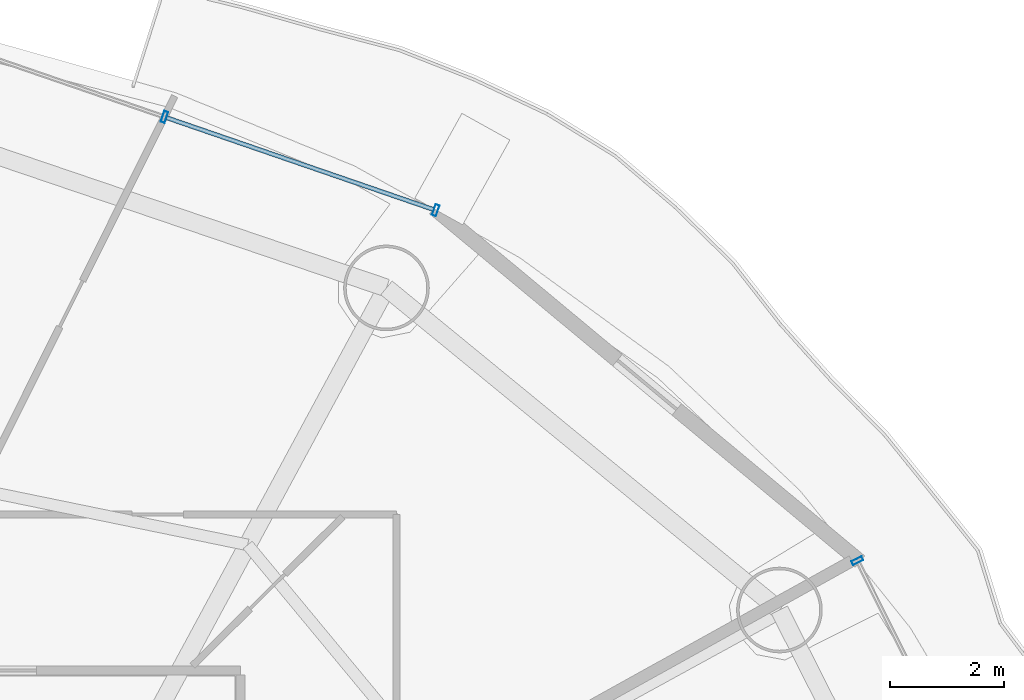
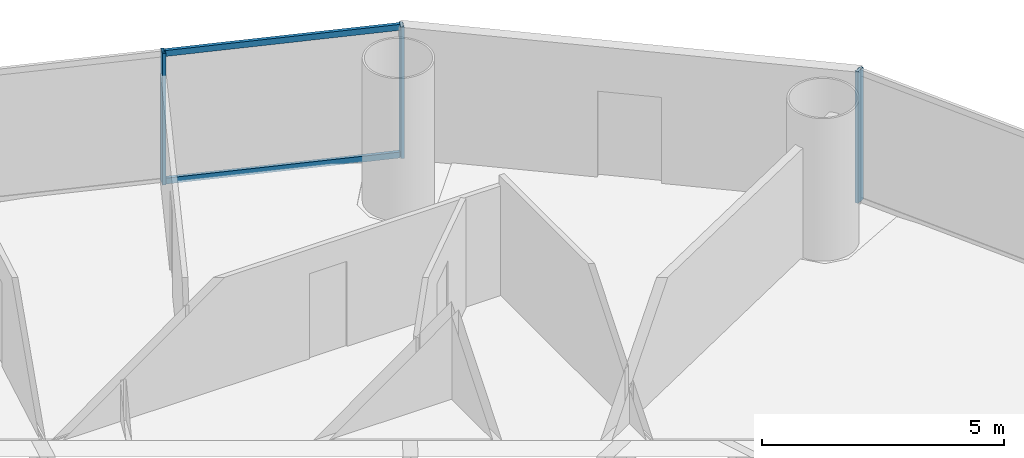
# One storey, part 20 of 29: 5 members, 2 elements without a shape of their own.
"""IFC4 building model written with IfcOpenShell, lengths in metres."""

from ifc_helpers import new_model, si_unit, direction, frame, origin, origin_2d, place, context, subcontext, project, spatial, hollow_rectangle, extrude, source, transform, mapped, material, material_profile, profile_set, type_object, element, aggregate, save


model = new_model("IFC4")

# Units and contexts
model_context = context("Model", 3, precision=1e-05, world=origin(), true_north=direction((-0.2419218956, 0.970295726276)))
body_context = subcontext(model_context, "Body", "Model", "MODEL_VIEW")
ifc_project = project(units=[si_unit("LENGTHUNIT", "METRE"), si_unit("AREAUNIT", "SQUARE_METRE"), si_unit("VOLUMEUNIT", "CUBIC_METRE"), si_unit("PLANEANGLEUNIT", "RADIAN"), si_unit("MASSUNIT", "GRAM", prefix="KILO")], contexts=[model_context])

# Site, building, storey
site_placement = place(None, origin())
site = spatial("IfcSite", under=ifc_project, at=site_placement, CompositionType="ELEMENT")
building_placement = place(site_placement, origin())
building = spatial("IfcBuilding", under=site, at=building_placement, Name="Cobrevalo Terracotta Tower", CompositionType="ELEMENT")
storey_placement = place(building_placement, frame((0.0, 0.0, 90.60009765625)))
storey = spatial("IfcBuildingStorey", under=building, at=storey_placement, Name="L23", CompositionType="ELEMENT", Elevation=90.60009765625)

# Curtain wall, member
ifc_material = material(Name="Anodized aluminium", Category="aluminium")
curtain_wall_type = type_object("IfcCurtainWallType", Name="Lower-tower unitised acoustic low-E curtain wall CW-U1", PredefinedType="NOTDEFINED", material=ifc_material)
curtain_wall_1_placement = place(storey_placement, origin())
curtain_wall_1 = element("IfcCurtainWall", 1, at=curtain_wall_1_placement, inside=storey, type_object=curtain_wall_type, Name="L23 curtain wall CW-L23-S01", PredefinedType="NOTDEFINED")
ifc_material_profile_1 = material_profile(ifc_material, hollow_rectangle(XDim=0.074951171875, YDim=0.199951171875, WallThickness=0.0048828125, at=origin_2d()), Name="CWM 75x200")
ifc_profile_set_1 = profile_set([ifc_material_profile_1], Name="Anodized aluminium")
member_type_1 = type_object("IfcMemberType", Name="Lower/mid tower unitised mullion 75x200", PredefinedType="MULLION", material=ifc_profile_set_1)
shared_shape_1 = source(origin(), body_context, "Body", "SweptSolid", [
    extrude(hollow_rectangle(XDim=0.074951171875, YDim=0.199951171875, WallThickness=0.0048828125, at=origin_2d()), origin(), (0.0, 0.0, 1.0), 3.324951171875),
])
member_1_placement = place(storey_placement, frame((60.110107421875, 39.025634765625, 0.0), z_axis=(0.0, 0.0, 1.0), x_axis=(-0.446260290227, 0.894903208937, 0.0)))
member_1 = element("IfcMember", 2, at=member_1_placement, type_object=member_type_1, Name="CW-L23-S01 vertical mullion 03", PredefinedType="MULLION", context=body_context, shape_type="MappedRepresentation", body=[
    mapped(shared_shape_1, transform((0.0, 0.0, 0.0), scale=1.0)),
])
aggregate(curtain_wall_1, [member_1])

# Curtain wall, members
curtain_wall_2_placement = place(storey_placement, origin())
curtain_wall_2 = element("IfcCurtainWall", 3, at=curtain_wall_2_placement, inside=storey, type_object=curtain_wall_type, Name="L23 curtain wall CW-L23-S03", PredefinedType="NOTDEFINED")
member_2_placement = place(storey_placement, frame((52.7236328125, 45.16357421875, 0.0), z_axis=(0.0, 0.0, 1.0), x_axis=(-0.94559809868, 0.325337110968, 0.0)))
member_2 = element("IfcMember", 4, at=member_2_placement, type_object=member_type_1, Name="CW-L23-S03 vertical mullion 01", PredefinedType="MULLION", context=body_context, shape_type="MappedRepresentation", body=[
    mapped(shared_shape_1, transform((0.0, 0.0, 0.0), scale=1.0)),
])
member_3_placement = place(storey_placement, frame((47.972412109375, 46.79833984375, 0.0), z_axis=(0.0, 0.0, 1.0), x_axis=(-0.94559809868, 0.325337110968, 0.0)))
member_3 = element("IfcMember", 5, at=member_3_placement, type_object=member_type_1, Name="CW-L23-S03 vertical mullion 02", PredefinedType="MULLION", context=body_context, shape_type="MappedRepresentation", body=[
    mapped(shared_shape_1, transform((0.0, 0.0, 0.0), scale=1.0)),
])
ifc_material_profile_2 = material_profile(ifc_material, hollow_rectangle(XDim=0.074951171875, YDim=0.14990234375, WallThickness=0.00439453125, at=origin_2d()), Name="CWT 75x150")
ifc_profile_set_2 = profile_set([ifc_material_profile_2], Name="Anodized aluminium")
member_type_2 = type_object("IfcMemberType", Name="Tower unitised aluminium transom 75x150", PredefinedType="USERDEFINED", material=ifc_profile_set_2)
shared_shape_2 = source(origin(), body_context, "Body", "SweptSolid", [
    extrude(hollow_rectangle(XDim=0.074951171875, YDim=0.14990234375, WallThickness=0.00439453125, at=origin_2d()), origin(), (0.0, 0.0, 1.0), 4.944580078125),
])
member_4_placement = place(storey_placement, frame((52.685791015625, 45.176513671875, 0.0498046875), z_axis=(-0.945597859971, 0.32533780478, 0.0), x_axis=(-0.32533780478, -0.945597859971, 0.0)))
member_4 = element("IfcMember", 6, at=member_4_placement, type_object=member_type_2, Name="CW-L23-S03 transom B01-T1", ObjectType="TRANSOM", PredefinedType="USERDEFINED", context=body_context, shape_type="MappedRepresentation", body=[
    mapped(shared_shape_2, transform((0.0, 0.0, 0.0), scale=1.0)),
])
member_5_placement = place(storey_placement, frame((52.685791015625, 45.176513671875, 3.27490234375), z_axis=(-0.945597859971, 0.32533780478, 0.0), x_axis=(-0.32533780478, -0.945597859971, 0.0)))
member_5 = element("IfcMember", 7, at=member_5_placement, type_object=member_type_2, Name="CW-L23-S03 transom B01-T2", ObjectType="TRANSOM", PredefinedType="USERDEFINED", context=body_context, shape_type="MappedRepresentation", body=[
    mapped(shared_shape_2, transform((0.0, 0.0, 0.0), scale=1.0)),
])
aggregate(curtain_wall_2, [member_2, member_3, member_4, member_5])

save(model, "model.ifc")
